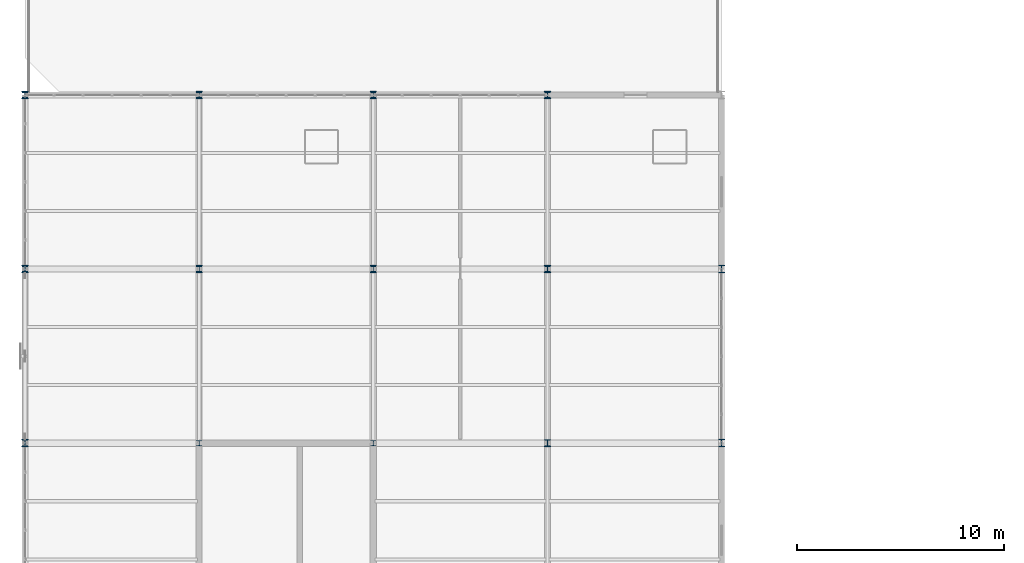
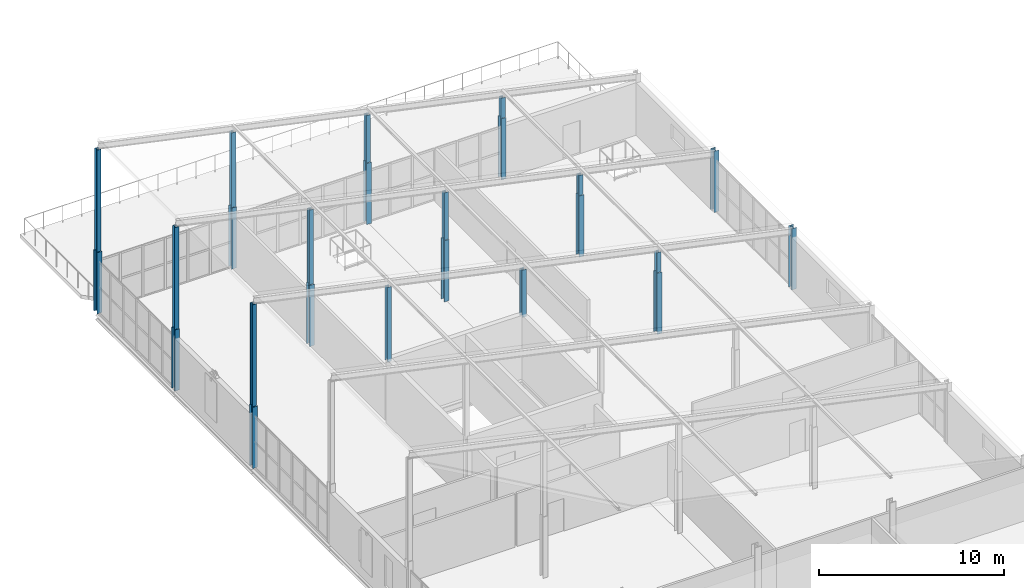
# One storey, part 9 of 184: 24 columns.
"""IFC4 building model written with IfcOpenShell, lengths in metres."""

from ifc_helpers import new_model, si_unit, direction, frame, origin, origin_2d, place, context, subcontext, project, spatial, i_section, extrude, material, material_profile, profile_set, type_object, element, save


model = new_model("IFC4")

# Units and contexts
model_context = context("Model", 3, precision=1e-05, world=origin(), true_north=direction((0.0, 1.0)))
body_context = subcontext(model_context, "Body", "Model", "MODEL_VIEW")
ifc_project = project(units=[si_unit("LENGTHUNIT", "METRE"), si_unit("AREAUNIT", "SQUARE_METRE"), si_unit("VOLUMEUNIT", "CUBIC_METRE"), si_unit("PLANEANGLEUNIT", "RADIAN"), si_unit("MASSUNIT", "GRAM", prefix="KILO")], contexts=[model_context])

# Site, building, storey
site_placement = place(None, origin())
site = spatial("IfcSite", under=ifc_project, at=site_placement, CompositionType="ELEMENT")
building_placement = place(site_placement, origin())
building = spatial("IfcBuilding", under=site, at=building_placement, Name="Qalvenar Corner Mobility Hub", CompositionType="ELEMENT")
storey_placement = place(building_placement, frame((0.0, 0.0, 9.0)))
storey = spatial("IfcBuildingStorey", under=building, at=storey_placement, Name="L02", CompositionType="ELEMENT", Elevation=9.0)

# Columns
ifc_material = material(Name="Steel S355", Category="steel")
ifc_material_profile_1 = material_profile(ifc_material, i_section(OverallWidth=0.300048828125, OverallDepth=0.35009765625, WebThickness=0.010009765625, FlangeThickness=0.017578125, FilletRadius=0.027099609375, at=origin_2d()), Name="HEA360")
ifc_profile_set_1 = profile_set([ifc_material_profile_1], Name="Steel S355")
column_type_1 = type_object("IfcColumnType", Name="COL-HEA360", PredefinedType="COLUMN", material=ifc_profile_set_1)
for number, where, z_axis, x_axis, name in (
    (1, (8.39990234375, 75.60009765625, 0.0), (0.0, 0.0, 1.0), (1.0, 0.0, 0.0), "Steel Column L02-G2-9"),
    (2, (8.39990234375, 84.0, 0.0), (0.0, 0.0, 1.0), (1.0, 0.0, 0.0), "Steel Column L02-G2-10"),
    (3, (25.199951171875, 67.199951171875, 0.0), (0.0, 0.0, 1.0), (1.0, 0.0, 0.0), "Steel Column L02-G4-8"),
    (4, (25.199951171875, 75.60009765625, 0.0), (0.0, 0.0, 1.0), (1.0, 0.0, 0.0), "Steel Column L02-G4-9"),
    (5, (25.199951171875, 84.0, 0.0), (0.0, 0.0, 1.0), (1.0, 0.0, 0.0), "Steel Column L02-G4-10"),
):
    element("IfcColumn", number, at=place(storey_placement, frame(where, z_axis=z_axis, x_axis=x_axis)), inside=storey, type_object=column_type_1, Name=name, PredefinedType="COLUMN", context=body_context, shape_type="SweptSolid", body=[
        extrude(i_section(OverallWidth=0.300048828125, OverallDepth=0.35009765625, WebThickness=0.010009765625, FlangeThickness=0.017578125, FilletRadius=0.027099609375, at=origin_2d()), origin(), (0.0, 0.0, 1.0), 4.030029296875),
    ])
ifc_material_profile_2 = material_profile(ifc_material, i_section(OverallWidth=0.260009765625, OverallDepth=0.260009765625, WebThickness=0.010009765625, FlangeThickness=0.017578125, FilletRadius=0.02392578125, at=origin_2d()), Name="HEB260")
ifc_profile_set_2 = profile_set([ifc_material_profile_2], Name="Steel S355")
column_type_2 = type_object("IfcColumnType", Name="COL-HEB260", PredefinedType="COLUMN", material=ifc_profile_set_2)
column_1_placement = place(storey_placement, frame((0.0, 67.199951171875, 4.030029296875), z_axis=(0.0, 0.0, 1.0), x_axis=(1.0, 0.0, 0.0)))
element("IfcColumn", 6, at=column_1_placement, inside=storey, type_object=column_type_2, Name="Bicycle Roof Post V5R-4-1", PredefinedType="COLUMN", context=body_context, shape_type="SweptSolid", body=[
    extrude(i_section(OverallWidth=0.260009765625, OverallDepth=0.260009765625, WebThickness=0.010009765625, FlangeThickness=0.017578125, FilletRadius=0.02392578125, at=origin_2d()), origin(), (0.0, 0.0, 1.0), 6.7099609375),
])
column_2_placement = place(storey_placement, frame((8.39990234375, 67.199951171875, 4.030029296875), z_axis=(0.0, 0.0, 1.0), x_axis=(1.0, 0.0, 0.0)))
element("IfcColumn", 7, at=column_2_placement, inside=storey, type_object=column_type_2, Name="Bicycle Roof Post V5R-4-2", PredefinedType="COLUMN", context=body_context, shape_type="SweptSolid", body=[
    extrude(i_section(OverallWidth=0.260009765625, OverallDepth=0.260009765625, WebThickness=0.010009765625, FlangeThickness=0.017578125, FilletRadius=0.02392578125, at=origin_2d()), origin(), (0.0, 0.0, 1.0), 4.909912109375),
])
column_3_placement = place(storey_placement, frame((16.800048828125, 67.199951171875, 4.030029296875), z_axis=(0.0, 0.0, 1.0), x_axis=(1.0, 0.0, 0.0)))
element("IfcColumn", 8, at=column_3_placement, inside=storey, type_object=column_type_2, Name="Bicycle Roof Post V5R-4-3", PredefinedType="COLUMN", context=body_context, shape_type="SweptSolid", body=[
    extrude(i_section(OverallWidth=0.260009765625, OverallDepth=0.260009765625, WebThickness=0.010009765625, FlangeThickness=0.017578125, FilletRadius=0.02392578125, at=origin_2d()), origin(), (0.0, 0.0, 1.0), 3.10986328125),
])
column_4_placement = place(storey_placement, frame((25.199951171875, 67.199951171875, 4.030029296875), z_axis=(0.0, 0.0, 1.0), x_axis=(1.0, 0.0, 0.0)))
element("IfcColumn", 9, at=column_4_placement, inside=storey, type_object=column_type_2, Name="Bicycle Roof Post V5R-4-4", PredefinedType="COLUMN", context=body_context, shape_type="SweptSolid", body=[
    extrude(i_section(OverallWidth=0.260009765625, OverallDepth=0.260009765625, WebThickness=0.010009765625, FlangeThickness=0.017578125, FilletRadius=0.02392578125, at=origin_2d()), origin(), (0.0, 0.0, 1.0), 1.31005859375),
])
column_5_placement = place(storey_placement, frame((0.0, 75.60009765625, 4.030029296875), z_axis=(0.0, 0.0, 1.0), x_axis=(1.0, 0.0, 0.0)))
element("IfcColumn", 10, at=column_5_placement, inside=storey, type_object=column_type_2, Name="Bicycle Roof Post V5R-5-1", PredefinedType="COLUMN", context=body_context, shape_type="SweptSolid", body=[
    extrude(i_section(OverallWidth=0.260009765625, OverallDepth=0.260009765625, WebThickness=0.010009765625, FlangeThickness=0.017578125, FilletRadius=0.02392578125, at=origin_2d()), origin(), (0.0, 0.0, 1.0), 6.7099609375),
])
column_6_placement = place(storey_placement, frame((8.39990234375, 75.60009765625, 4.030029296875), z_axis=(0.0, 0.0, 1.0), x_axis=(1.0, 0.0, 0.0)))
element("IfcColumn", 11, at=column_6_placement, inside=storey, type_object=column_type_2, Name="Bicycle Roof Post V5R-5-2", PredefinedType="COLUMN", context=body_context, shape_type="SweptSolid", body=[
    extrude(i_section(OverallWidth=0.260009765625, OverallDepth=0.260009765625, WebThickness=0.010009765625, FlangeThickness=0.017578125, FilletRadius=0.02392578125, at=origin_2d()), origin(), (0.0, 0.0, 1.0), 4.909912109375),
])
column_7_placement = place(storey_placement, frame((16.800048828125, 75.60009765625, 4.030029296875), z_axis=(0.0, 0.0, 1.0), x_axis=(1.0, 0.0, 0.0)))
element("IfcColumn", 12, at=column_7_placement, inside=storey, type_object=column_type_2, Name="Bicycle Roof Post V5R-5-3", PredefinedType="COLUMN", context=body_context, shape_type="SweptSolid", body=[
    extrude(i_section(OverallWidth=0.260009765625, OverallDepth=0.260009765625, WebThickness=0.010009765625, FlangeThickness=0.017578125, FilletRadius=0.02392578125, at=origin_2d()), origin(), (0.0, 0.0, 1.0), 3.10986328125),
])
column_8_placement = place(storey_placement, frame((25.199951171875, 75.60009765625, 4.030029296875), z_axis=(0.0, 0.0, 1.0), x_axis=(1.0, 0.0, 0.0)))
element("IfcColumn", 13, at=column_8_placement, inside=storey, type_object=column_type_2, Name="Bicycle Roof Post V5R-5-4", PredefinedType="COLUMN", context=body_context, shape_type="SweptSolid", body=[
    extrude(i_section(OverallWidth=0.260009765625, OverallDepth=0.260009765625, WebThickness=0.010009765625, FlangeThickness=0.017578125, FilletRadius=0.02392578125, at=origin_2d()), origin(), (0.0, 0.0, 1.0), 1.31005859375),
])
column_9_placement = place(storey_placement, frame((0.0, 84.0, 4.030029296875), z_axis=(0.0, 0.0, 1.0), x_axis=(1.0, 0.0, 0.0)))
element("IfcColumn", 14, at=column_9_placement, inside=storey, type_object=column_type_2, Name="Bicycle Roof Post V5R-6-1", PredefinedType="COLUMN", context=body_context, shape_type="SweptSolid", body=[
    extrude(i_section(OverallWidth=0.260009765625, OverallDepth=0.260009765625, WebThickness=0.010009765625, FlangeThickness=0.017578125, FilletRadius=0.02392578125, at=origin_2d()), origin(), (0.0, 0.0, 1.0), 6.7099609375),
])
column_10_placement = place(storey_placement, frame((8.39990234375, 84.0, 4.030029296875), z_axis=(0.0, 0.0, 1.0), x_axis=(1.0, 0.0, 0.0)))
element("IfcColumn", 15, at=column_10_placement, inside=storey, type_object=column_type_2, Name="Bicycle Roof Post V5R-6-2", PredefinedType="COLUMN", context=body_context, shape_type="SweptSolid", body=[
    extrude(i_section(OverallWidth=0.260009765625, OverallDepth=0.260009765625, WebThickness=0.010009765625, FlangeThickness=0.017578125, FilletRadius=0.02392578125, at=origin_2d()), origin(), (0.0, 0.0, 1.0), 4.909912109375),
])
column_11_placement = place(storey_placement, frame((16.800048828125, 84.0, 4.030029296875), z_axis=(0.0, 0.0, 1.0), x_axis=(1.0, 0.0, 0.0)))
element("IfcColumn", 16, at=column_11_placement, inside=storey, type_object=column_type_2, Name="Bicycle Roof Post V5R-6-3", PredefinedType="COLUMN", context=body_context, shape_type="SweptSolid", body=[
    extrude(i_section(OverallWidth=0.260009765625, OverallDepth=0.260009765625, WebThickness=0.010009765625, FlangeThickness=0.017578125, FilletRadius=0.02392578125, at=origin_2d()), origin(), (0.0, 0.0, 1.0), 3.10986328125),
])
column_12_placement = place(storey_placement, frame((25.199951171875, 84.0, 4.030029296875), z_axis=(0.0, 0.0, 1.0), x_axis=(1.0, 0.0, 0.0)))
element("IfcColumn", 17, at=column_12_placement, inside=storey, type_object=column_type_2, Name="Bicycle Roof Post V5R-6-4", PredefinedType="COLUMN", context=body_context, shape_type="SweptSolid", body=[
    extrude(i_section(OverallWidth=0.260009765625, OverallDepth=0.260009765625, WebThickness=0.010009765625, FlangeThickness=0.017578125, FilletRadius=0.02392578125, at=origin_2d()), origin(), (0.0, 0.0, 1.0), 1.31005859375),
])
ifc_material_profile_3 = material_profile(ifc_material, i_section(OverallWidth=0.300048828125, OverallDepth=0.360107421875, WebThickness=0.012451171875, FlangeThickness=0.0224609375, FilletRadius=0.027099609375, at=origin_2d()), Name="HEB360")
ifc_profile_set_3 = profile_set([ifc_material_profile_3], Name="Steel S355")
column_type_3 = type_object("IfcColumnType", Name="COL-HEB360", PredefinedType="COLUMN", material=ifc_profile_set_3)
for number, where, z_axis, x_axis, name in (
    (18, (0.0, 67.199951171875, 0.0), (0.0, 0.0, 1.0), (1.0, 0.0, 0.0), "Steel Column L02-G1-8"),
    (19, (0.0, 75.60009765625, 0.0), (0.0, 0.0, 1.0), (1.0, 0.0, 0.0), "Steel Column L02-G1-9"),
    (20, (0.0, 84.0, 0.0), (0.0, 0.0, 1.0), (1.0, 0.0, 0.0), "Steel Column L02-G1-10"),
    (21, (16.800048828125, 75.60009765625, 0.0), (0.0, 0.0, 1.0), (1.0, 0.0, 0.0), "Steel Column L02-G3-9"),
    (22, (16.800048828125, 84.0, 0.0), (0.0, 0.0, 1.0), (1.0, 0.0, 0.0), "Steel Column L02-G3-10"),
    (23, (33.60009765625, 67.199951171875, 0.0), (0.0, 0.0, 1.0), (1.0, 0.0, 0.0), "Steel Column L02-G5-8"),
    (24, (33.60009765625, 75.60009765625, 0.0), (0.0, 0.0, 1.0), (1.0, 0.0, 0.0), "Steel Column L02-G5-9"),
):
    element("IfcColumn", number, at=place(storey_placement, frame(where, z_axis=z_axis, x_axis=x_axis)), inside=storey, type_object=column_type_3, Name=name, PredefinedType="COLUMN", context=body_context, shape_type="SweptSolid", body=[
        extrude(i_section(OverallWidth=0.300048828125, OverallDepth=0.360107421875, WebThickness=0.012451171875, FlangeThickness=0.0224609375, FilletRadius=0.027099609375, at=origin_2d()), origin(), (0.0, 0.0, 1.0), 4.030029296875),
    ])

save(model, "model.ifc")
